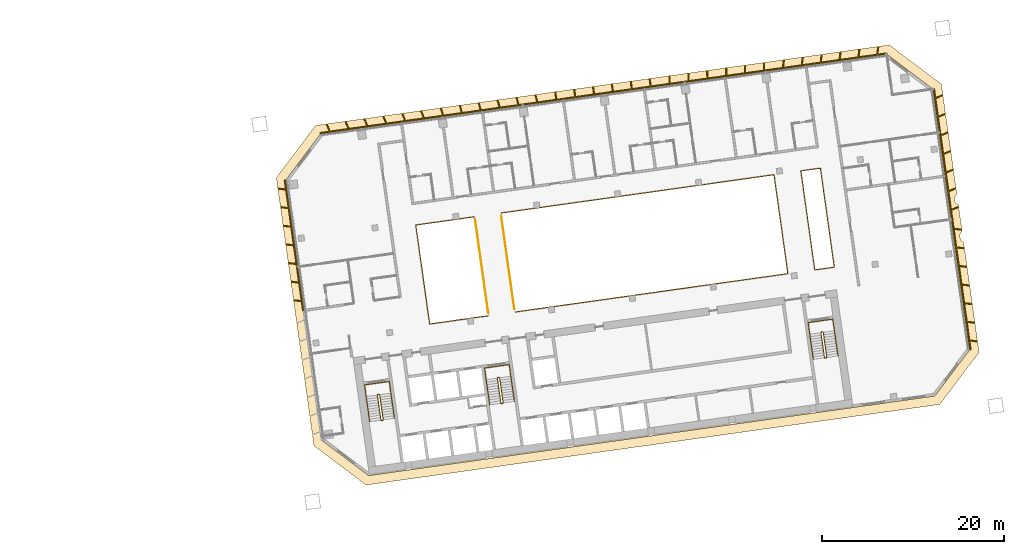
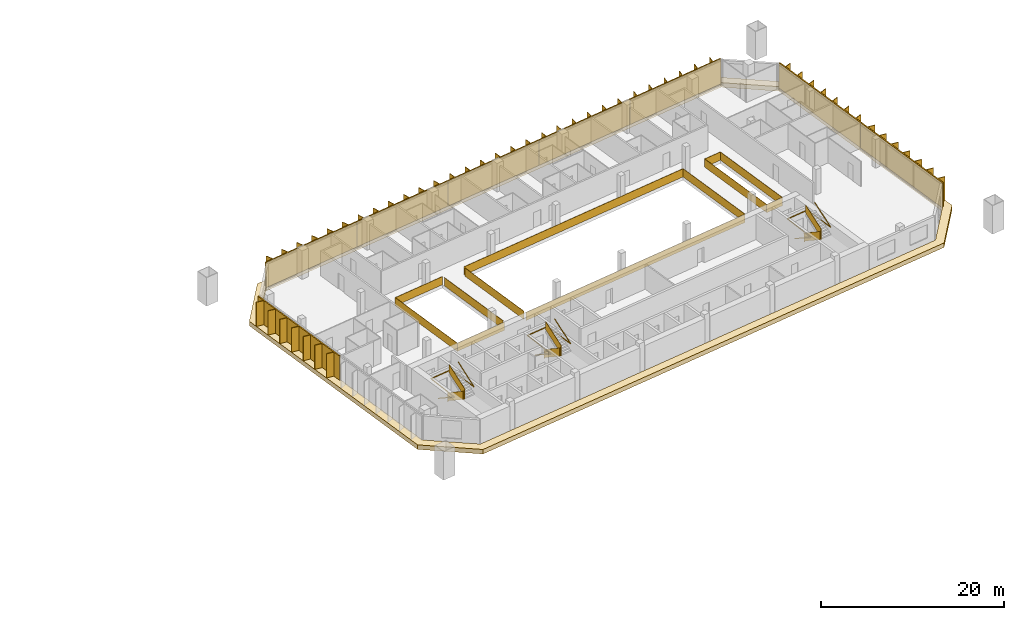
# One storey, part 26 of 26: 11 railings, 8 shading devices, 1 covering.
"""IFC4 building model written with IfcOpenShell, lengths in metres."""

from ifc_helpers import new_model, si_unit, direction, frame, origin, origin_2d, place, context, subcontext, project, spatial, polyline, rectangle, outline, extrude, material, layer, layer_set, type_object, element, save


model = new_model("IFC4")

# Units and contexts
model_context = context("Model", 3, precision=1e-05, world=origin(), true_north=direction((0.0, 1.0)))
body_context = subcontext(model_context, "Body", "Model", "MODEL_VIEW")
ifc_project = project(units=[si_unit("LENGTHUNIT", "METRE"), si_unit("AREAUNIT", "SQUARE_METRE"), si_unit("VOLUMEUNIT", "CUBIC_METRE"), si_unit("PLANEANGLEUNIT", "RADIAN"), si_unit("MASSUNIT", "GRAM", prefix="KILO")], contexts=[model_context])

# Site, building, storey
site_placement = place(None, origin())
site = spatial("IfcSite", under=ifc_project, at=site_placement, CompositionType="ELEMENT")
building_placement = place(site_placement, origin())
building = spatial("IfcBuilding", under=site, at=building_placement, Name="Mirante Cascada Hotel Towers", CompositionType="ELEMENT")
storey_placement = place(building_placement, frame((0.0, 0.0, 144.3)))
storey = spatial("IfcBuildingStorey", under=building, at=storey_placement, Name="L33", CompositionType="ELEMENT", Elevation=144.3)

# Railings
ifc_material_1 = material(Name="Toughened glass with stainless steel handrail", Category="steel")
railing_type_1 = type_object("IfcRailingType", Name="Atrium guard 1100 glass balustrade", PredefinedType="GUARDRAIL", material=ifc_material_1)
railing_1_placement = place(storey_placement, frame((48.76, 8.3112, 0.0)))
element("IfcRailing", 1, at=railing_1_placement, inside=storey, type_object=railing_type_1, Name="GUARD 2-L33-1", PredefinedType="GUARDRAIL", context=body_context, shape_type="SweptSolid", body=[
    extrude(rectangle(XDim=0.048, YDim=0.048, at=origin_2d()), frame((0.0, 0.0, 1.076), z_axis=(-0.9902694, -0.1391638, 0.0), x_axis=(0.1391638, -0.9902694, 0.0)), (0.0, 0.0, 1.0), 6.5125),
    extrude(rectangle(XDim=0.02, YDim=1.052, at=origin_2d()), frame((0.0, 0.0, 0.526), z_axis=(-0.9902694, -0.1391638, 0.0), x_axis=(0.1391638, -0.9902694, 0.0)), (0.0, 0.0, 1.0), 6.5125),
    extrude(rectangle(XDim=0.048, YDim=0.048, at=origin_2d()), frame((-6.4491, -0.9063, 1.076), z_axis=(0.1391721, -0.9902682, 0.0), x_axis=(0.9902682, 0.1391721, 0.0)), (0.0, 0.0, 1.0), 11.0001),
    extrude(rectangle(XDim=0.02, YDim=1.052, at=origin_2d()), frame((-6.4491, -0.9063, 0.526), z_axis=(0.1391721, -0.9902682, 0.0), x_axis=(0.9902682, 0.1391721, 0.0)), (0.0, 0.0, 1.0), 11.0001),
    extrude(rectangle(XDim=0.048, YDim=0.048, at=origin_2d()), frame((-4.9182, -11.7993, 1.076), z_axis=(0.9902673, 0.1391788, 0.0), x_axis=(-0.1391788, 0.9902673, 0.0)), (0.0, 0.0, 1.0), 6.5125),
    extrude(rectangle(XDim=0.02, YDim=1.052, at=origin_2d()), frame((-4.9182, -11.7993, 0.526), z_axis=(0.9902673, 0.1391788, 0.0), x_axis=(-0.1391788, 0.9902673, 0.0)), (0.0, 0.0, 1.0), 6.5125),
])
railing_2_placement = place(storey_placement, frame((53.2617, -2.1642, 0.0)))
element("IfcRailing", 2, at=railing_2_placement, inside=storey, type_object=railing_type_1, Name="GUARD 2-L33-2", PredefinedType="GUARDRAIL", context=body_context, shape_type="SweptSolid", body=[
    extrude(rectangle(XDim=0.048, YDim=0.048, at=origin_2d()), frame((0.0, 0.0, 1.076), z_axis=(0.9902682, 0.1391722, 0.0), x_axis=(-0.1391722, 0.9902682, 0.0)), (0.0, 0.0, 1.0), 30.325),
    extrude(rectangle(XDim=0.02, YDim=1.052, at=origin_2d()), frame((0.0, 0.0, 0.526), z_axis=(0.9902682, 0.1391722, 0.0), x_axis=(-0.1391722, 0.9902682, 0.0)), (0.0, 0.0, 1.0), 30.325),
    extrude(rectangle(XDim=0.048, YDim=0.048, at=origin_2d()), frame((30.0299, 4.2204, 1.076), z_axis=(-0.1391721, 0.9902682, 0.0), x_axis=(-0.9902682, -0.1391721, 0.0)), (0.0, 0.0, 1.0), 11.0001),
    extrude(rectangle(XDim=0.02, YDim=1.052, at=origin_2d()), frame((30.0299, 4.2204, 0.526), z_axis=(-0.1391721, 0.9902682, 0.0), x_axis=(-0.9902682, -0.1391721, 0.0)), (0.0, 0.0, 1.0), 11.0001),
    extrude(rectangle(XDim=0.048, YDim=0.048, at=origin_2d()), frame((28.499, 15.1134, 1.076), z_axis=(-0.9902682, -0.1391722, 0.0), x_axis=(0.1391722, -0.9902682, 0.0)), (0.0, 0.0, 1.0), 30.325),
    extrude(rectangle(XDim=0.02, YDim=1.052, at=origin_2d()), frame((28.499, 15.1134, 0.526), z_axis=(-0.9902682, -0.1391722, 0.0), x_axis=(0.1391722, -0.9902682, 0.0)), (0.0, 0.0, 1.0), 30.325),
])
railing_3_placement = place(storey_placement, frame((86.2624, 2.4738, 0.0)))
element("IfcRailing", 3, at=railing_3_placement, inside=storey, type_object=railing_type_1, Name="GUARD 2-L33-3", PredefinedType="GUARDRAIL", context=body_context, shape_type="SweptSolid", body=[
    extrude(rectangle(XDim=0.048, YDim=0.048, at=origin_2d()), frame((0.0, 0.0, 1.076), z_axis=(0.9902724, 0.1391422, 0.0), x_axis=(-0.1391422, 0.9902724, 0.0)), (0.0, 0.0, 1.0), 2.1625),
    extrude(rectangle(XDim=0.02, YDim=1.052, at=origin_2d()), frame((0.0, 0.0, 0.526), z_axis=(0.9902724, 0.1391422, 0.0), x_axis=(-0.1391422, 0.9902724, 0.0)), (0.0, 0.0, 1.0), 2.1625),
    extrude(rectangle(XDim=0.048, YDim=0.048, at=origin_2d()), frame((2.1415, 0.3009, 1.076), z_axis=(-0.1391721, 0.9902682, 0.0), x_axis=(-0.9902682, -0.1391721, 0.0)), (0.0, 0.0, 1.0), 11.0001),
    extrude(rectangle(XDim=0.02, YDim=1.052, at=origin_2d()), frame((2.1415, 0.3009, 0.526), z_axis=(-0.1391721, 0.9902682, 0.0), x_axis=(-0.9902682, -0.1391721, 0.0)), (0.0, 0.0, 1.0), 11.0001),
    extrude(rectangle(XDim=0.048, YDim=0.048, at=origin_2d()), frame((0.6106, 11.1939, 1.076), z_axis=(-0.990266, -0.1391875, 0.0), x_axis=(0.1391875, -0.990266, 0.0)), (0.0, 0.0, 1.0), 2.1626),
    extrude(rectangle(XDim=0.02, YDim=1.052, at=origin_2d()), frame((0.6106, 11.1939, 0.526), z_axis=(-0.990266, -0.1391875, 0.0), x_axis=(0.1391875, -0.990266, 0.0)), (0.0, 0.0, 1.0), 2.1626),
    extrude(rectangle(XDim=0.048, YDim=0.048, at=origin_2d()), frame((-1.5309, 10.8929, 1.076), z_axis=(0.1391733, -0.990268, 0.0), x_axis=(0.990268, 0.1391733, 0.0)), (0.0, 0.0, 1.0), 11.0),
    extrude(rectangle(XDim=0.02, YDim=1.052, at=origin_2d()), frame((-1.5309, 10.8929, 0.526), z_axis=(0.1391733, -0.990268, 0.0), x_axis=(0.990268, 0.1391733, 0.0)), (0.0, 0.0, 1.0), 11.0),
])
railing_4_placement = place(storey_placement, frame((50.2983, -2.2822, 0.0)))
element("IfcRailing", 4, at=railing_4_placement, inside=storey, type_object=railing_type_1, Name="GUARD 2-L33-4", PredefinedType="GUARDRAIL", context=body_context, shape_type="SweptSolid", body=[
    extrude(rectangle(XDim=0.048, YDim=0.048, at=origin_2d()), frame((0.0, 0.0, 1.076), z_axis=(-0.1391708, 0.9902684, 0.0), x_axis=(-0.9902684, -0.1391708, 0.0)), (0.0, 0.0, 1.0), 10.4088),
    extrude(rectangle(XDim=0.02, YDim=1.052, at=origin_2d()), frame((0.0, 0.0, 0.526), z_axis=(-0.1391708, 0.9902684, 0.0), x_axis=(-0.9902684, -0.1391708, 0.0)), (0.0, 0.0, 1.0), 10.4088),
])
railing_5_placement = place(storey_placement, frame((51.7234, 8.4292, 0.0)))
element("IfcRailing", 5, at=railing_5_placement, inside=storey, type_object=railing_type_1, Name="GUARD 2-L33-5", PredefinedType="GUARDRAIL", context=body_context, shape_type="SweptSolid", body=[
    extrude(rectangle(XDim=0.048, YDim=0.048, at=origin_2d()), frame((0.0, 0.0, 1.076), z_axis=(0.1391721, -0.9902682, 0.0), x_axis=(0.9902682, 0.1391721, 0.0)), (0.0, 0.0, 1.0), 10.4087),
    extrude(rectangle(XDim=0.02, YDim=1.052, at=origin_2d()), frame((0.0, 0.0, 0.526), z_axis=(0.1391721, -0.9902682, 0.0), x_axis=(0.9902682, 0.1391721, 0.0)), (0.0, 0.0, 1.0), 10.4087),
])

# Covering
ifc_material_2 = material(Name="Precast concrete C40/50 white", Category="concrete")
ifc_layer = layer(ifc_material_2, 0.6)
ifc_layer_set = layer_set([ifc_layer], Name="Precast concrete SUNSHADE band 1000x600")
covering_type = type_object("IfcCoveringType", Name="Precast concrete SUNSHADE band 1000x600", PredefinedType="CLADDING", material=ifc_layer_set)
covering_placement = place(storey_placement, frame((0.0, 0.0, -0.45)))
element("IfcCovering", 6, at=covering_placement, inside=storey, type_object=covering_type, Name="Precast concrete SUNSHADE band T2 L33", PredefinedType="CLADDING", context=body_context, shape_type="SweptSolid", body=[
    extrude(outline(polyline([(26.9341, 12.6299), (31.2626, 18.374), (94.4698, 27.2572), (100.2139, 22.9287), (101.9213, 10.7797), (101.8878, 10.7598), (101.8499, 10.7319), (101.8149, 10.7004), (101.7831, 10.6656), (101.7549, 10.6279), (101.7305, 10.5876), (101.7102, 10.545), (101.6942, 10.5008), (101.6826, 10.4551), (101.6755, 10.4085), (101.673, 10.3615), (101.6751, 10.3144), (101.6975, 10.078), (101.7043, 10.0313), (101.7155, 9.9856), (101.7312, 9.9412), (101.7512, 9.8985), (101.7753, 9.858), (101.8032, 9.8201), (101.8347, 9.7851), (101.8695, 9.7533), (101.9072, 9.7251), (101.9475, 9.7007), (101.99, 9.6804), (102.0343, 9.6644), (102.0797, 9.6529), (102.4994, 6.6664), (102.459, 6.6428), (102.4208, 6.6152), (102.3856, 6.5839), (102.3535, 6.5494), (102.325, 6.5119), (102.3004, 6.4718), (102.2797, 6.4294), (102.2633, 6.3853), (102.2514, 6.3397), (102.2439, 6.2932), (102.2411, 6.2462), (102.2428, 6.1991), (102.2492, 6.1524), (102.2929, 5.9189), (102.3038, 5.8731), (102.3192, 5.8286), (102.3388, 5.7858), (102.3626, 5.7451), (102.3902, 5.7069), (102.4214, 5.6717), (102.4559, 5.6396), (102.4935, 5.6112), (102.5336, 5.5865), (102.5759, 5.5658), (102.6201, 5.5495), (102.6578, 5.5396), (104.3652, -6.6094), (100.0367, -12.3535), (36.8295, -21.2367), (31.0854, -16.9082), (26.9341, 12.6299)]), holes=[polyline([(103.3173, -6.3384), (99.2813, 22.3794), (94.1988, 26.2093), (31.8119, 17.4414), (27.982, 12.3589), (32.018, -16.3589), (37.1005, -20.1888), (99.4874, -11.4209), (103.3173, -6.3384)])]), origin(), (0.0, 0.0, 1.0), 0.6),
])

# Railings
ifc_material_3 = material(Name="Painted steel", Category="steel")
railing_type_2 = type_object("IfcRailingType", Name="Stair guard 1100 steel balustrade", PredefinedType="GUARDRAIL", material=ifc_material_3)
railing_6_placement = place(storey_placement, frame((38.2663, -11.2395, 0.0)))
element("IfcRailing", 7, at=railing_6_placement, inside=storey, type_object=railing_type_2, Name="L33 ST2-A stair guard 1", PredefinedType="GUARDRAIL", context=body_context, shape_type="SweptSolid", body=[
    extrude(rectangle(XDim=0.048, YDim=0.048, at=origin_2d()), frame((0.0, 0.0, 1.076), z_axis=(-0.9903326, -0.1387133, 0.0), x_axis=(0.1387133, -0.9903326, 0.0)), (0.0, 0.0, 1.0), 0.1499),
    extrude(rectangle(XDim=0.02, YDim=1.052, at=origin_2d()), frame((0.0, 0.0, 0.526), z_axis=(-0.9903326, -0.1387133, 0.0), x_axis=(0.1387133, -0.9903326, 0.0)), (0.0, 0.0, 1.0), 0.1499),
    extrude(rectangle(XDim=0.048, YDim=0.048, at=origin_2d()), frame((-0.1485, -0.0208, 1.076), z_axis=(-0.6020331, -0.7984711, 0.0), x_axis=(0.7984711, -0.6020331, 0.0)), (0.0, 0.9253398, 0.3791387), 0.1866),
    extrude(rectangle(XDim=0.02, YDim=1.052, at=origin_2d()), frame((-0.1485, -0.0208, 0.526), z_axis=(-0.6020331, -0.7984711, 0.0), x_axis=(0.7984711, -0.6020331, 0.0)), (0.0, 0.9253398, 0.3791387), 0.1866),
    extrude(rectangle(XDim=0.048, YDim=0.048, at=origin_2d()), frame((-0.1911, -0.0773, 1.2487), z_axis=(0.139176, -0.9902677, 0.0), x_axis=(0.9902677, 0.139176, 0.0)), (0.0, 0.5250212, 0.8510891), 3.29),
    extrude(rectangle(XDim=0.02, YDim=1.052, at=origin_2d()), frame((-0.1911, -0.0773, 0.6987), z_axis=(0.139176, -0.9902677, 0.0), x_axis=(0.9902677, 0.139176, 0.0)), (0.0, 0.5250212, 0.8510891), 3.29),
    extrude(rectangle(XDim=0.048, YDim=0.048, at=origin_2d()), frame((0.1986, -2.8501, 2.976), z_axis=(0.9944948, -0.1047858, 0.0), x_axis=(0.1047858, 0.9944948, 0.0)), (0.0, 0.0, 1.0), 0.2061),
    extrude(rectangle(XDim=0.02, YDim=1.052, at=origin_2d()), frame((0.1986, -2.8501, 2.426), z_axis=(0.9944948, -0.1047858, 0.0), x_axis=(0.1047858, 0.9944948, 0.0)), (0.0, 0.0, 1.0), 0.2061),
    extrude(rectangle(XDim=0.048, YDim=0.048, at=origin_2d()), frame((0.4036, -2.8717, 2.976), z_axis=(-0.9902408, -0.1393672, 0.0), x_axis=(0.1393672, -0.9902408, 0.0)), (0.0, 0.0, 1.0), 0.15),
    extrude(rectangle(XDim=0.02, YDim=1.052, at=origin_2d()), frame((0.4036, -2.8717, 2.426), z_axis=(-0.9902408, -0.1393672, 0.0), x_axis=(0.1393672, -0.9902408, 0.0)), (0.0, 0.0, 1.0), 0.15),
    extrude(rectangle(XDim=0.048, YDim=0.048, at=origin_2d()), frame((0.2551, -2.8926, 2.976), z_axis=(0.9270311, 0.3749843, 0.0), x_axis=(-0.3749843, 0.9270311, 0.0)), (0.0, 0.6421903, 0.7665452), 0.2689),
    extrude(rectangle(XDim=0.02, YDim=1.052, at=origin_2d()), frame((0.2551, -2.8926, 2.426), z_axis=(0.9270311, 0.3749843, 0.0), x_axis=(-0.3749843, 0.9270311, 0.0)), (0.0, 0.6421903, 0.7665452), 0.2689),
    extrude(rectangle(XDim=0.048, YDim=0.048, at=origin_2d()), frame((0.4462, -2.8153, 3.1487), z_axis=(-0.139176, 0.9902677, 0.0), x_axis=(-0.9902677, -0.139176, 0.0)), (0.0, 0.5250212, 0.8510891), 3.29),
    extrude(rectangle(XDim=0.02, YDim=1.052, at=origin_2d()), frame((0.4462, -2.8153, 2.5987), z_axis=(-0.139176, 0.9902677, 0.0), x_axis=(-0.9902677, -0.139176, 0.0)), (0.0, 0.5250212, 0.8510891), 3.29),
])
railing_7_placement = place(storey_placement, frame((51.4864, -9.3815, 0.0)))
element("IfcRailing", 8, at=railing_7_placement, inside=storey, type_object=railing_type_2, Name="L33 ST2-B stair guard 1", PredefinedType="GUARDRAIL", context=body_context, shape_type="SweptSolid", body=[
    extrude(rectangle(XDim=0.048, YDim=0.048, at=origin_2d()), frame((0.0, 0.0, 1.076), z_axis=(-0.9902408, -0.1393672, 0.0), x_axis=(0.1393672, -0.9902408, 0.0)), (0.0, 0.0, 1.0), 0.15),
    extrude(rectangle(XDim=0.02, YDim=1.052, at=origin_2d()), frame((0.0, 0.0, 0.526), z_axis=(-0.9902408, -0.1393672, 0.0), x_axis=(0.1393672, -0.9902408, 0.0)), (0.0, 0.0, 1.0), 0.15),
    extrude(rectangle(XDim=0.048, YDim=0.048, at=origin_2d()), frame((-0.1485, -0.0209, 1.076), z_axis=(-0.6020331, -0.7984711, 0.0), x_axis=(0.7984711, -0.6020331, 0.0)), (0.0, 0.9253398, 0.3791387), 0.1866),
    extrude(rectangle(XDim=0.02, YDim=1.052, at=origin_2d()), frame((-0.1485, -0.0209, 0.526), z_axis=(-0.6020331, -0.7984711, 0.0), x_axis=(0.7984711, -0.6020331, 0.0)), (0.0, 0.9253398, 0.3791387), 0.1866),
    extrude(rectangle(XDim=0.048, YDim=0.048, at=origin_2d()), frame((-0.1911, -0.0774, 1.2487), z_axis=(0.139181, -0.990267, 0.0), x_axis=(0.990267, 0.139181, 0.0)), (0.0, 0.5250347, 0.8510808), 3.2899),
    extrude(rectangle(XDim=0.02, YDim=1.052, at=origin_2d()), frame((-0.1911, -0.0774, 0.6987), z_axis=(0.139181, -0.990267, 0.0), x_axis=(0.990267, 0.139181, 0.0)), (0.0, 0.5250347, 0.8510808), 3.2899),
    extrude(rectangle(XDim=0.048, YDim=0.048, at=origin_2d()), frame((0.1986, -2.8501, 2.976), z_axis=(0.9944441, -0.1052656, 0.0), x_axis=(0.1052656, 0.9944441, 0.0)), (0.0, 0.0, 1.0), 0.2061),
    extrude(rectangle(XDim=0.02, YDim=1.052, at=origin_2d()), frame((0.1986, -2.8501, 2.426), z_axis=(0.9944441, -0.1052656, 0.0), x_axis=(0.1052656, 0.9944441, 0.0)), (0.0, 0.0, 1.0), 0.2061),
    extrude(rectangle(XDim=0.048, YDim=0.048, at=origin_2d()), frame((0.4036, -2.8718, 2.976), z_axis=(-0.9902408, -0.1393672, 0.0), x_axis=(0.1393672, -0.9902408, 0.0)), (0.0, 0.0, 1.0), 0.15),
    extrude(rectangle(XDim=0.02, YDim=1.052, at=origin_2d()), frame((0.4036, -2.8718, 2.426), z_axis=(-0.9902408, -0.1393672, 0.0), x_axis=(0.1393672, -0.9902408, 0.0)), (0.0, 0.0, 1.0), 0.15),
    extrude(rectangle(XDim=0.048, YDim=0.048, at=origin_2d()), frame((0.2551, -2.8927, 2.976), z_axis=(0.9268624, 0.3754011, 0.0), x_axis=(-0.3754011, 0.9268624, 0.0)), (0.0, 0.6421217, 0.7666028), 0.269),
    extrude(rectangle(XDim=0.02, YDim=1.052, at=origin_2d()), frame((0.2551, -2.8927, 2.426), z_axis=(0.9268624, 0.3754011, 0.0), x_axis=(-0.3754011, 0.9268624, 0.0)), (0.0, 0.6421217, 0.7666028), 0.269),
    extrude(rectangle(XDim=0.048, YDim=0.048, at=origin_2d()), frame((0.4462, -2.8153, 3.1487), z_axis=(-0.139181, 0.990267, 0.0), x_axis=(-0.990267, -0.139181, 0.0)), (0.0, 0.5250347, 0.8510808), 3.2899),
    extrude(rectangle(XDim=0.02, YDim=1.052, at=origin_2d()), frame((0.4462, -2.8153, 2.5987), z_axis=(-0.139181, 0.990267, 0.0), x_axis=(-0.990267, -0.139181, 0.0)), (0.0, 0.5250347, 0.8510808), 3.2899),
])
railing_8_placement = place(storey_placement, frame((87.1361, -4.3713, 0.0)))
element("IfcRailing", 9, at=railing_8_placement, inside=storey, type_object=railing_type_2, Name="L33 ST2-C stair guard 1", PredefinedType="GUARDRAIL", context=body_context, shape_type="SweptSolid", body=[
    extrude(rectangle(XDim=0.048, YDim=0.048, at=origin_2d()), frame((0.0, 0.0, 1.076), z_axis=(-0.9902537, -0.1392753, 0.0), x_axis=(0.1392753, -0.9902537, 0.0)), (0.0, 0.0, 1.0), 0.1501),
    extrude(rectangle(XDim=0.02, YDim=1.052, at=origin_2d()), frame((0.0, 0.0, 0.526), z_axis=(-0.9902537, -0.1392753, 0.0), x_axis=(0.1392753, -0.9902537, 0.0)), (0.0, 0.0, 1.0), 0.1501),
    extrude(rectangle(XDim=0.048, YDim=0.048, at=origin_2d()), frame((-0.1486, -0.0209, 1.076), z_axis=(-0.601811, -0.7986386, 0.0), x_axis=(0.7986386, -0.601811, 0.0)), (0.0, 0.925603, 0.3784959), 0.1866),
    extrude(rectangle(XDim=0.02, YDim=1.052, at=origin_2d()), frame((-0.1486, -0.0209, 0.526), z_axis=(-0.601811, -0.7986386, 0.0), x_axis=(0.7986386, -0.601811, 0.0)), (0.0, 0.925603, 0.3784959), 0.1866),
    extrude(rectangle(XDim=0.048, YDim=0.048, at=origin_2d()), frame((-0.1911, -0.0773, 1.2487), z_axis=(0.139176, -0.9902677, 0.0), x_axis=(0.9902677, 0.139176, 0.0)), (0.0, 0.5250212, 0.8510891), 3.29),
    extrude(rectangle(XDim=0.02, YDim=1.052, at=origin_2d()), frame((-0.1911, -0.0773, 0.6987), z_axis=(0.139176, -0.9902677, 0.0), x_axis=(0.9902677, 0.139176, 0.0)), (0.0, 0.5250212, 0.8510891), 3.29),
    extrude(rectangle(XDim=0.048, YDim=0.048, at=origin_2d()), frame((0.1986, -2.8501, 2.976), z_axis=(0.9944441, -0.1052656, 0.0), x_axis=(0.1052656, 0.9944441, 0.0)), (0.0, 0.0, 1.0), 0.2061),
    extrude(rectangle(XDim=0.02, YDim=1.052, at=origin_2d()), frame((0.1986, -2.8501, 2.426), z_axis=(0.9944441, -0.1052656, 0.0), x_axis=(0.1052656, 0.9944441, 0.0)), (0.0, 0.0, 1.0), 0.2061),
    extrude(rectangle(XDim=0.048, YDim=0.048, at=origin_2d()), frame((0.4036, -2.8718, 2.976), z_axis=(-0.9903454, -0.1386217, 0.0), x_axis=(0.1386217, -0.9903454, 0.0)), (0.0, 0.0, 1.0), 0.15),
    extrude(rectangle(XDim=0.02, YDim=1.052, at=origin_2d()), frame((0.4036, -2.8718, 2.426), z_axis=(-0.9903454, -0.1386217, 0.0), x_axis=(0.1386217, -0.9903454, 0.0)), (0.0, 0.0, 1.0), 0.15),
    extrude(rectangle(XDim=0.048, YDim=0.048, at=origin_2d()), frame((0.255, -2.8926, 2.976), z_axis=(0.9270311, 0.3749843, 0.0), x_axis=(-0.3749843, 0.9270311, 0.0)), (0.0, 0.6421903, 0.7665452), 0.2689),
    extrude(rectangle(XDim=0.02, YDim=1.052, at=origin_2d()), frame((0.255, -2.8926, 2.426), z_axis=(0.9270311, 0.3749843, 0.0), x_axis=(-0.3749843, 0.9270311, 0.0)), (0.0, 0.6421903, 0.7665452), 0.2689),
    extrude(rectangle(XDim=0.048, YDim=0.048, at=origin_2d()), frame((0.4461, -2.8153, 3.1487), z_axis=(-0.139176, 0.9902677, 0.0), x_axis=(-0.9902677, -0.139176, 0.0)), (0.0, 0.5250212, 0.8510891), 3.29),
    extrude(rectangle(XDim=0.02, YDim=1.052, at=origin_2d()), frame((0.4461, -2.8153, 2.5987), z_axis=(-0.139176, 0.9902677, 0.0), x_axis=(-0.9902677, -0.139176, 0.0)), (0.0, 0.5250212, 0.8510891), 3.29),
])
ifc_material_4 = material(Name="Painted steel", Category="steel")
railing_type_3 = type_object("IfcRailingType", Name="Stair handrail 900 steel tube", PredefinedType="HANDRAIL", material=ifc_material_4)
railing_9_placement = place(storey_placement, frame((36.8374, -11.4908, 0.1727)))
element("IfcRailing", 10, at=railing_9_placement, inside=storey, type_object=railing_type_3, Name="L33 ST2-A stair handrail 1", PredefinedType="HANDRAIL", context=body_context, shape_type="SweptSolid", body=[
    extrude(rectangle(XDim=0.048, YDim=0.048, at=origin_2d()), frame((0.0, 0.0, 0.876), z_axis=(0.139181, -0.990267, 0.0), x_axis=(0.990267, 0.139181, 0.0)), (0.0, 0.5250347, 0.8510808), 3.2899),
    extrude(rectangle(XDim=0.048, YDim=0.048, at=origin_2d()), frame((0.3897, -2.7727, 2.6033), z_axis=(-0.1391707, 0.9902684, 0.0), x_axis=(-0.9902684, -0.1391707, 0.0)), (0.0, 0.0420846, 0.999114), 4.1036),
    extrude(rectangle(XDim=0.048, YDim=0.048, at=origin_2d()), frame((-0.1809, 1.2874, 2.776), z_axis=(0.9902691, 0.1391657, 0.0), x_axis=(-0.1391657, 0.9902691, 0.0)), (0.0, 0.0, 1.0), 2.75),
    extrude(rectangle(XDim=0.048, YDim=0.048, at=origin_2d()), frame((2.5423, 1.6701, 2.776), z_axis=(0.1391707, -0.9902684, 0.0), x_axis=(0.9902684, 0.1391707, 0.0)), (0.0, 0.0, 1.0), 4.1),
    extrude(rectangle(XDim=0.048, YDim=0.048, at=origin_2d()), frame((3.1129, -2.39, 2.776), z_axis=(-0.139181, 0.990267, 0.0), x_axis=(-0.990267, -0.139181, 0.0)), (0.0, 0.5250347, 0.8510808), 3.2899),
])
railing_10_placement = place(storey_placement, frame((50.0575, -9.6328, 0.1727)))
element("IfcRailing", 11, at=railing_10_placement, inside=storey, type_object=railing_type_3, Name="L33 ST2-B stair handrail 1", PredefinedType="HANDRAIL", context=body_context, shape_type="SweptSolid", body=[
    extrude(rectangle(XDim=0.048, YDim=0.048, at=origin_2d()), frame((0.0, 0.0, 0.876), z_axis=(0.139176, -0.9902677, 0.0), x_axis=(0.9902677, 0.139176, 0.0)), (0.0, 0.5250212, 0.8510891), 3.29),
    extrude(rectangle(XDim=0.048, YDim=0.048, at=origin_2d()), frame((0.3897, -2.7728, 2.6033), z_axis=(-0.1391707, 0.9902684, 0.0), x_axis=(-0.9902684, -0.1391707, 0.0)), (0.0, 0.0420846, 0.999114), 4.1036),
    extrude(rectangle(XDim=0.048, YDim=0.048, at=origin_2d()), frame((-0.1809, 1.2873, 2.776), z_axis=(0.9902641, 0.1392013, 0.0), x_axis=(-0.1392013, 0.9902641, 0.0)), (0.0, 0.0, 1.0), 2.75),
    extrude(rectangle(XDim=0.048, YDim=0.048, at=origin_2d()), frame((2.5423, 1.6701, 2.776), z_axis=(0.1391707, -0.9902684, 0.0), x_axis=(0.9902684, 0.1391707, 0.0)), (0.0, 0.0, 1.0), 4.1),
    extrude(rectangle(XDim=0.048, YDim=0.048, at=origin_2d()), frame((3.1129, -2.39, 2.776), z_axis=(-0.139181, 0.990267, 0.0), x_axis=(-0.990267, -0.139181, 0.0)), (0.0, 0.5250347, 0.8510808), 3.2899),
])
railing_11_placement = place(storey_placement, frame((85.7071, -4.6226, 0.1727)))
element("IfcRailing", 12, at=railing_11_placement, inside=storey, type_object=railing_type_3, Name="L33 ST2-C stair handrail 1", PredefinedType="HANDRAIL", context=body_context, shape_type="SweptSolid", body=[
    extrude(rectangle(XDim=0.048, YDim=0.048, at=origin_2d()), frame((0.0, 0.0, 0.876), z_axis=(0.139181, -0.990267, 0.0), x_axis=(0.990267, 0.139181, 0.0)), (0.0, 0.5250347, 0.8510808), 3.2899),
    extrude(rectangle(XDim=0.048, YDim=0.048, at=origin_2d()), frame((0.3897, -2.7727, 2.6033), z_axis=(-0.1391707, 0.9902684, 0.0), x_axis=(-0.9902684, -0.1391707, 0.0)), (0.0, 0.0420846, 0.999114), 4.1036),
    extrude(rectangle(XDim=0.048, YDim=0.048, at=origin_2d()), frame((-0.1809, 1.2874, 2.776), z_axis=(0.9902691, 0.1391657, 0.0), x_axis=(-0.1391657, 0.9902691, 0.0)), (0.0, 0.0, 1.0), 2.75),
    extrude(rectangle(XDim=0.048, YDim=0.048, at=origin_2d()), frame((2.5423, 1.6701, 2.776), z_axis=(0.1391947, -0.990265, 0.0), x_axis=(0.990265, 0.1391947, 0.0)), (0.0, 0.0, 1.0), 4.1),
    extrude(rectangle(XDim=0.048, YDim=0.048, at=origin_2d()), frame((3.113, -2.39, 2.776), z_axis=(-0.139181, 0.990267, 0.0), x_axis=(-0.990267, -0.139181, 0.0)), (0.0, 0.5250347, 0.8510808), 3.2899),
])

# Shading devices
ifc_material_5 = material(Name="White precast concrete C50/60 fin", Category="concrete")
shading_device_type = type_object("IfcShadingDeviceType", Name="Vertical fin set 4500x900", PredefinedType="USERDEFINED", material=ifc_material_5)
shading_device_1_placement = place(storey_placement, origin())
element("IfcShadingDevice", 13, at=shading_device_1_placement, inside=storey, type_object=shading_device_type, Name="FIN T2 L33 front 1", ObjectType="FIN", PredefinedType="USERDEFINED", context=body_context, shape_type="SweptSolid", body=[
    extrude(outline(polyline([(82.8967, 25.5893), (82.7946, 24.758), (84.7922, 25.0387), (84.8968, 25.8913), (84.9762, 25.8815), (84.8742, 25.0503), (86.8717, 25.331), (86.9764, 26.1835), (87.0558, 26.1738), (86.9537, 25.3425), (88.9513, 25.6233), (89.056, 26.4758), (89.1354, 26.4661), (89.0333, 25.6348), (91.0308, 25.9155), (91.1355, 26.7681), (91.2149, 26.7583), (91.1129, 25.9271), (93.1104, 26.2078), (93.2151, 27.0603), (93.2945, 27.0506), (93.1924, 26.2193), (94.1779, 26.3578), (94.1988, 26.2093), (81.7214, 24.4557), (81.7006, 24.6042), (82.7126, 24.7465), (82.8173, 25.599), (82.8967, 25.5893)])), origin(), (0.0, 0.0, 1.0), 3.35),
])
shading_device_2_placement = place(storey_placement, origin())
element("IfcShadingDevice", 14, at=shading_device_2_placement, inside=storey, type_object=shading_device_type, Name="FIN T2 L33 front 2", ObjectType="FIN", PredefinedType="USERDEFINED", context=body_context, shape_type="SweptSolid", body=[
    extrude(outline(polyline([(70.3021, 23.8476), (70.3094, 23.0033), (72.3091, 23.2844), (72.3016, 24.1392), (72.3816, 24.1399), (72.389, 23.2956), (74.3886, 23.5766), (74.3812, 24.4314), (74.4612, 24.4321), (74.4686, 23.5878), (76.4682, 23.8689), (76.4608, 24.7237), (76.5407, 24.7244), (76.5481, 23.8801), (78.5478, 24.1611), (78.5403, 25.0159), (78.6203, 25.0166), (78.6277, 24.1724), (80.6273, 24.4534), (80.6199, 25.3082), (80.6999, 25.3089), (80.7072, 24.4646), (81.7006, 24.6042), (81.7214, 24.4557), (69.2441, 22.7021), (69.2232, 22.8507), (70.2295, 22.9921), (70.2221, 23.8469), (70.3021, 23.8476)])), origin(), (0.0, 0.0, 1.0), 3.35),
])
shading_device_3_placement = place(storey_placement, origin())
element("IfcShadingDevice", 15, at=shading_device_3_placement, inside=storey, type_object=shading_device_type, Name="FIN T2 L33 front 3", ObjectType="FIN", PredefinedType="USERDEFINED", context=body_context, shape_type="SweptSolid", body=[
    extrude(outline(polyline([(57.7069, 22.0905), (57.8252, 21.2488), (59.8255, 21.5299), (59.7072, 22.3716), (59.7865, 22.3828), (59.9048, 21.541), (61.9051, 21.8222), (61.7868, 22.6639), (61.866, 22.675), (61.9843, 21.8333), (63.9847, 22.1144), (63.8664, 22.9562), (63.9456, 22.9673), (64.0639, 22.1256), (66.0642, 22.4067), (65.9459, 23.2484), (66.0251, 23.2596), (66.1434, 22.4178), (68.1438, 22.699), (68.0255, 23.5407), (68.1047, 23.5518), (68.223, 22.7101), (69.2232, 22.8507), (69.2441, 22.7021), (56.7667, 20.9485), (56.7458, 21.0971), (57.746, 21.2376), (57.6277, 22.0794), (57.7069, 22.0905)])), origin(), (0.0, 0.0, 1.0), 3.35),
])
shading_device_4_placement = place(storey_placement, origin())
element("IfcShadingDevice", 16, at=shading_device_4_placement, inside=storey, type_object=shading_device_type, Name="FIN T2 L33 front 4", ObjectType="FIN", PredefinedType="USERDEFINED", context=body_context, shape_type="SweptSolid", body=[
    extrude(outline(polyline([(45.1132, 20.3181), (45.3416, 19.4943), (47.3413, 19.7754), (47.1157, 20.589), (47.1928, 20.6103), (47.4212, 19.7866), (49.4209, 20.0676), (49.1952, 20.8812), (49.2723, 20.9026), (49.5008, 20.0789), (51.5004, 20.3599), (51.2748, 21.1735), (51.3519, 21.1949), (51.5803, 20.3711), (53.58, 20.6521), (53.3544, 21.4657), (53.4314, 21.4871), (53.6599, 20.6634), (55.6595, 20.9444), (55.4339, 21.758), (55.511, 21.7794), (55.7394, 20.9556), (56.7458, 21.0971), (56.7667, 20.9485), (44.2893, 19.195), (44.2684, 19.3435), (45.2617, 19.4831), (45.0361, 20.2967), (45.1132, 20.3181)])), origin(), (0.0, 0.0, 1.0), 3.35),
])
shading_device_5_placement = place(storey_placement, origin())
element("IfcShadingDevice", 17, at=shading_device_5_placement, inside=storey, type_object=shading_device_type, Name="FIN T2 L33 front 5", ObjectType="FIN", PredefinedType="USERDEFINED", context=body_context, shape_type="SweptSolid", body=[
    extrude(outline(polyline([(32.5229, 18.5306), (32.8586, 17.7399), (34.8561, 18.0207), (34.5289, 18.7916), (34.6025, 18.8229), (34.9381, 18.0322), (36.9357, 18.3129), (36.6084, 19.0839), (36.6821, 19.1151), (37.0177, 18.3245), (39.0152, 18.6052), (38.688, 19.3761), (38.7616, 19.4074), (39.0973, 18.6167), (41.0948, 18.8975), (40.7676, 19.6684), (40.8412, 19.6997), (41.1768, 18.909), (43.1744, 19.1897), (42.8471, 19.9607), (42.9208, 19.9919), (43.2564, 19.2013), (44.2684, 19.3435), (44.2893, 19.195), (31.8119, 17.4414), (31.791, 17.5899), (32.7765, 17.7284), (32.4493, 18.4994), (32.5229, 18.5306)])), origin(), (0.0, 0.0, 1.0), 3.35),
])
shading_device_6_placement = place(storey_placement, origin())
element("IfcShadingDevice", 18, at=shading_device_6_placement, inside=storey, type_object=shading_device_type, Name="FIN T2 L33 inner 1", ObjectType="FIN", PredefinedType="USERDEFINED", context=body_context, shape_type="SweptSolid", body=[
    extrude(outline(polyline([(28.8684, -0.8389), (29.6997, -0.941), (29.4229, 1.0283), (28.5704, 1.133), (28.5801, 1.2124), (29.4114, 1.1103), (29.1346, 3.0796), (28.2821, 3.1842), (28.2918, 3.2636), (29.1231, 3.1616), (28.8464, 5.1308), (27.9938, 5.2355), (28.0036, 5.3149), (28.8348, 5.2128), (28.5581, 7.1821), (27.7055, 7.2868), (27.7153, 7.3662), (28.5465, 7.2641), (28.2698, 9.2334), (27.4172, 9.338), (27.427, 9.4174), (28.2583, 9.3154), (27.9815, 11.2846), (27.1289, 11.3893), (27.1387, 11.4687), (27.97, 11.3667), (27.8334, 12.338), (27.982, 12.3589), (30.0, -2.0), (29.8515, -2.0209), (29.7112, -1.023), (28.8587, -0.9183), (28.8684, -0.8389)])), origin(), (0.0, 0.0, 1.0), 3.35),
])
shading_device_7_placement = place(storey_placement, origin())
element("IfcShadingDevice", 19, at=shading_device_7_placement, inside=storey, type_object=shading_device_type, Name="FIN T2 L33 outer 1", ObjectType="FIN", PredefinedType="USERDEFINED", context=body_context, shape_type="SweptSolid", body=[
    extrude(outline(polyline([(104.1606, -5.4483), (103.3293, -5.3462), (103.4659, -6.3175), (103.3173, -6.3384), (101.2993, 8.0205), (101.4478, 8.0413), (101.5881, 7.0434), (102.4406, 6.9388), (102.4309, 6.8594), (101.5996, 6.9614), (101.8764, 4.9922), (102.7289, 4.8875), (102.7192, 4.8081), (101.8879, 4.9102), (102.1647, 2.9409), (103.0172, 2.8362), (103.0075, 2.7568), (102.1762, 2.8589), (102.4529, 0.8896), (103.3055, 0.785), (103.2957, 0.7056), (102.4645, 0.8076), (102.7412, -1.1616), (103.5938, -1.2663), (103.584, -1.3457), (102.7528, -1.2436), (103.0295, -3.2129), (103.8821, -3.3176), (103.8723, -3.397), (103.041, -3.2949), (103.3178, -5.2642), (104.1704, -5.3689), (104.1606, -5.4483)])), origin(), (0.0, 0.0, 1.0), 3.35),
])
shading_device_8_placement = place(storey_placement, origin())
element("IfcShadingDevice", 20, at=shading_device_8_placement, inside=storey, type_object=shading_device_type, Name="FIN T2 L33 outer 2", ObjectType="FIN", PredefinedType="USERDEFINED", context=body_context, shape_type="SweptSolid", body=[
    extrude(outline(polyline([(102.0983, 9.3749), (101.3076, 9.0392), (101.4478, 8.0413), (101.2993, 8.0205), (99.2813, 22.3794), (99.4298, 22.4002), (99.5663, 21.4289), (100.3373, 21.7561), (100.3685, 21.6825), (99.5779, 21.3469), (99.8546, 19.3776), (100.6256, 19.7048), (100.6568, 19.6312), (99.8662, 19.2956), (100.1429, 17.3263), (100.9139, 17.6536), (100.9451, 17.5799), (100.1544, 17.2443), (100.4312, 15.2751), (101.2021, 15.6023), (101.2334, 15.5287), (100.4427, 15.193), (100.7195, 13.2238), (101.4904, 13.551), (101.5217, 13.4774), (100.731, 13.1418), (101.0078, 11.1725), (101.7787, 11.4998), (101.81, 11.4261), (101.0193, 11.0905), (101.2961, 9.1212), (102.067, 9.4485), (102.0983, 9.3749)])), origin(), (0.0, 0.0, 1.0), 3.35),
])

save(model, "model.ifc")
